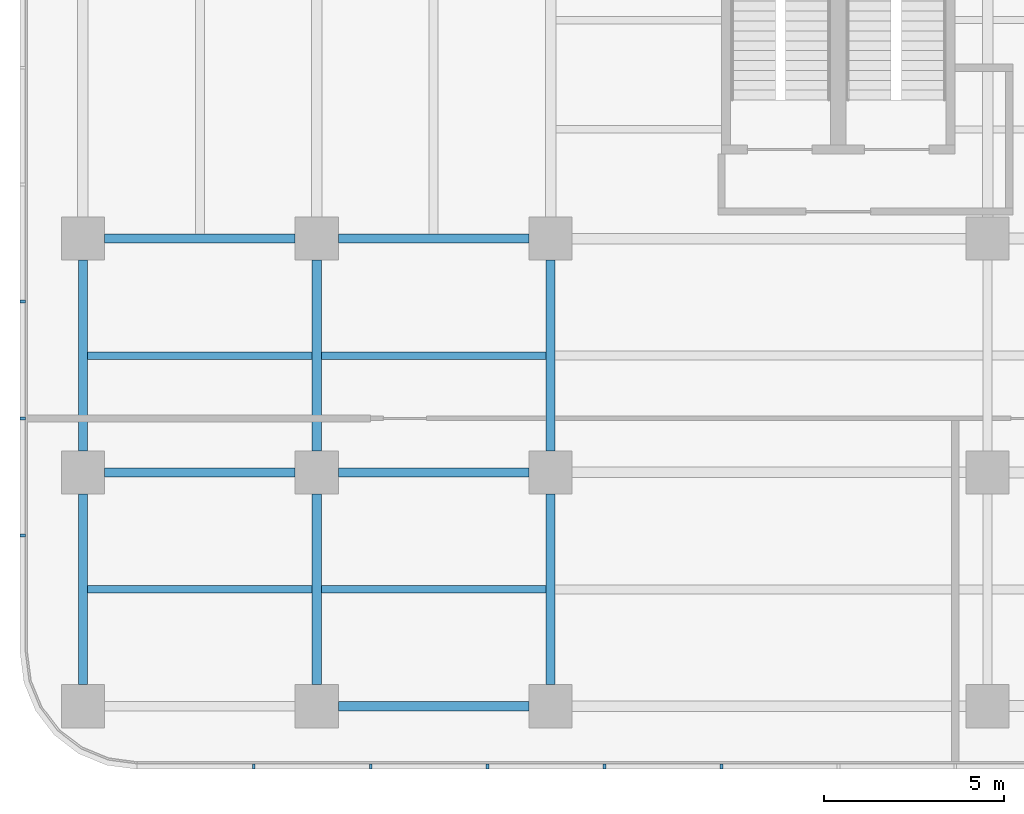
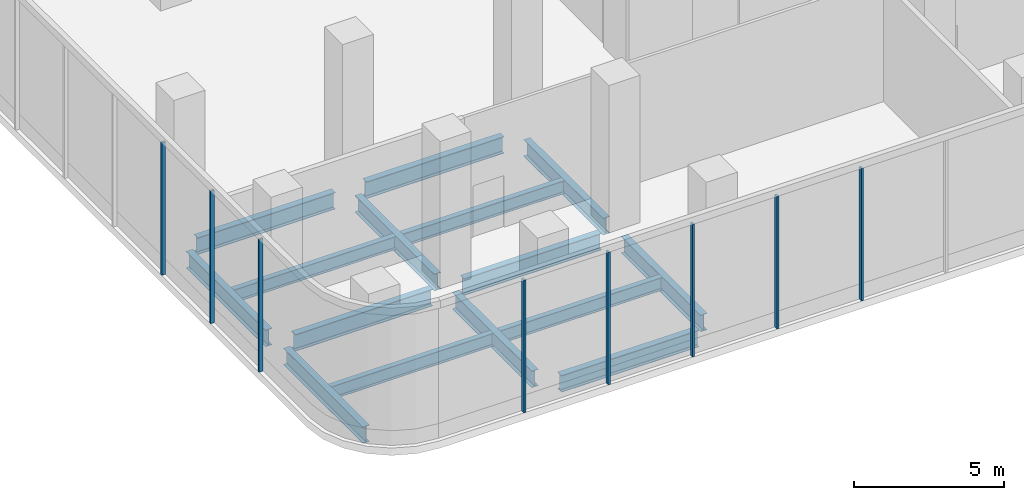
# One storey, part 2 of 41: 15 beams, 8 members, 2 elements without a shape of their own.
"""IFC4 building model written with IfcOpenShell, lengths in metres."""

from ifc_helpers import new_model, si_unit, direction, frame, origin, origin_2d, place, context, subcontext, project, spatial, rectangle, i_section, extrude, source, transform, mapped, material, layer, layer_set, material_profile, profile_set, type_object, element, aggregate, save


model = new_model("IFC4")

# Units and contexts
model_context = context("Model", 3, precision=1e-05, world=origin(), true_north=direction((0.0, 1.0)))
body_context = subcontext(model_context, "Body", "Model", "MODEL_VIEW")
ifc_project = project(units=[si_unit("LENGTHUNIT", "METRE"), si_unit("AREAUNIT", "SQUARE_METRE"), si_unit("VOLUMEUNIT", "CUBIC_METRE"), si_unit("PLANEANGLEUNIT", "RADIAN"), si_unit("MASSUNIT", "GRAM", prefix="KILO")], contexts=[model_context])

# Site, building, storey
site_placement = place(None, origin())
site = spatial("IfcSite", under=ifc_project, at=site_placement, CompositionType="ELEMENT")
building_placement = place(site_placement, origin())
building = spatial("IfcBuilding", under=site, at=building_placement, Name="Trellis Farm Tower", CompositionType="ELEMENT")
storey_placement = place(building_placement, frame((0.0, 0.0, 8.0)))
storey = spatial("IfcBuildingStorey", under=building, at=storey_placement, Name="L01", CompositionType="ELEMENT", Elevation=8.0)

# Beams
ifc_material_1 = material(Name="Steel S355", Category="steel")
ifc_material_profile_1 = material_profile(ifc_material_1, i_section(OverallWidth=0.253662109375, OverallDepth=0.68359375, WebThickness=0.012451171875, FlangeThickness=0.021728515625, FilletRadius=0.01513671875, at=origin_2d()), Name="UB 686x254x140")
ifc_profile_set_1 = profile_set([ifc_material_profile_1], Name="Steel S355")
beam_type_1 = type_object("IfcBeamType", Name="UB 686x254x140", PredefinedType="BEAM", material=ifc_profile_set_1)
shared_shape_1 = source(origin(), body_context, "Body", "SweptSolid", [
    extrude(i_section(OverallWidth=0.253662109375, OverallDepth=0.68359375, WebThickness=0.012451171875, FlangeThickness=0.021728515625, FilletRadius=0.01513671875, at=origin_2d()), origin(), (0.0, 0.0, 1.0), 5.2998046875),
])
for number, where, z_axis, x_axis, name in (
    (1, (-36.64990234375, -43.75, -0.641845703125), (1.0, 0.0, 0.0), (0.0, 1.0, 0.0), "Girder"),
    (2, (-43.14990234375, -37.25, -0.641845703125), (1.0, 0.0, 0.0), (0.0, 1.0, 0.0), "Girder"),
    (3, (-36.64990234375, -37.25, -0.641845703125), (1.0, 0.0, 0.0), (0.0, 1.0, 0.0), "Girder"),
    (4, (-43.14990234375, -30.75, -0.641845703125), (1.0, 0.0, 0.0), (0.0, 1.0, 0.0), "Girder"),
    (5, (-36.64990234375, -30.75, -0.641845703125), (1.0, 0.0, 0.0), (0.0, 1.0, 0.0), "Girder"),
    (6, (-43.75, -43.14990234375, -0.641845703125), (0.0, 1.0, 0.0), (-1.0, 0.0, 0.0), "Girder"),
    (7, (-43.75, -36.64990234375, -0.641845703125), (0.0, 1.0, 0.0), (-1.0, 0.0, 0.0), "Girder"),
    (8, (-37.25, -43.14990234375, -0.641845703125), (0.0, 1.0, 0.0), (-1.0, 0.0, 0.0), "Girder"),
    (9, (-37.25, -36.64990234375, -0.641845703125), (0.0, 1.0, 0.0), (-1.0, 0.0, 0.0), "Girder"),
    (10, (-30.75, -43.14990234375, -0.641845703125), (0.0, 1.0, 0.0), (-1.0, 0.0, 0.0), "Girder"),
    (11, (-30.75, -36.64990234375, -0.641845703125), (0.0, 1.0, 0.0), (-1.0, 0.0, 0.0), "Girder"),
):
    element("IfcBeam", number, at=place(storey_placement, frame(where, z_axis=z_axis, x_axis=x_axis)), inside=storey, type_object=beam_type_1, Name=name, PredefinedType="BEAM", context=body_context, shape_type="MappedRepresentation", body=[
        mapped(shared_shape_1, transform((0.0, 0.0, 0.0))),
    ])
ifc_material_profile_2 = material_profile(ifc_material_1, i_section(OverallWidth=0.209228515625, OverallDepth=0.533203125, WebThickness=0.010009765625, FlangeThickness=0.015625, FilletRadius=0.0126953125, at=origin_2d()), Name="UB 533x210x92")
ifc_profile_set_2 = profile_set([ifc_material_profile_2], Name="Steel S355")
beam_type_2 = type_object("IfcBeamType", Name="UB 533x210x92 joist", PredefinedType="JOIST", material=ifc_profile_set_2)
shared_shape_2 = source(origin(), body_context, "Body", "SweptSolid", [
    extrude(i_section(OverallWidth=0.209228515625, OverallDepth=0.533203125, WebThickness=0.010009765625, FlangeThickness=0.015625, FilletRadius=0.0126953125, at=origin_2d()), origin(), (0.0, 0.0, 1.0), 6.246337890625),
])
for number, where, z_axis, x_axis, name in (
    (12, (-37.123291015625, -40.5, -0.56640625), (1.0, 0.0, 0.0), (0.0, 1.0, 0.0), "Floor beam"),
    (13, (-37.123291015625, -34.0, -0.56640625), (1.0, 0.0, 0.0), (0.0, 1.0, 0.0), "Floor beam"),
):
    element("IfcBeam", number, at=place(storey_placement, frame(where, z_axis=z_axis, x_axis=x_axis)), inside=storey, type_object=beam_type_2, Name=name, PredefinedType="JOIST", context=body_context, shape_type="MappedRepresentation", body=[
        mapped(shared_shape_2, transform((0.0, 0.0, 0.0))),
    ])
shared_shape_3 = source(origin(), body_context, "Body", "SweptSolid", [
    extrude(i_section(OverallWidth=0.209228515625, OverallDepth=0.533203125, WebThickness=0.010009765625, FlangeThickness=0.015625, FilletRadius=0.0126953125, at=origin_2d()), origin(), (0.0, 0.0, 1.0), 6.24658203125),
])
for number, where, z_axis, x_axis, name in (
    (14, (-43.623291015625, -40.5, -0.56640625), (1.0, 0.0, 0.0), (0.0, 1.0, 0.0), "Floor beam"),
    (15, (-43.623291015625, -34.0, -0.56640625), (1.0, 0.0, 0.0), (0.0, 1.0, 0.0), "Floor beam"),
):
    element("IfcBeam", number, at=place(storey_placement, frame(where, z_axis=z_axis, x_axis=x_axis)), inside=storey, type_object=beam_type_2, Name=name, PredefinedType="JOIST", context=body_context, shape_type="MappedRepresentation", body=[
        mapped(shared_shape_3, transform((0.0, 0.0, 0.0))),
    ])

# Curtain wall, members
ifc_material_2 = material(Name="Aluminium and glass curtain wall", Category="aluminium")
ifc_layer = layer(ifc_material_2, 0.201904296875)
ifc_layer_set = layer_set([ifc_layer], Name="SHOPFRONT CURTAIN WALL CW2")
curtain_wall_type = type_object("IfcCurtainWallType", Name="SHOPFRONT CURTAIN WALL CW2", PredefinedType="NOTDEFINED", material=ifc_layer_set)
placement = place(storey_placement, origin())
curtain_wall_1 = element("IfcCurtainWall", 16, at=placement, inside=storey, type_object=curtain_wall_type, Name="CW2 006", PredefinedType="NOTDEFINED")
ifc_material_3 = material(Name="Aluminium extrusion 6063-T6", Category="aluminium")
ifc_material_profile_3 = material_profile(ifc_material_3, rectangle(XDim=0.080078125, YDim=0.14990234375, at=origin_2d()), Name="MULLION 80x150")
ifc_profile_set_3 = profile_set([ifc_material_profile_3], Name="Aluminium extrusion 6063-T6")
member_type = type_object("IfcMemberType", Name="CW2 MULLION 80x150", PredefinedType="MULLION", material=ifc_profile_set_3)
shared_shape_4 = source(origin(), body_context, "Body", "SweptSolid", [
    extrude(rectangle(XDim=0.080078125, YDim=0.14990234375, at=origin_2d()), origin(), (0.0, 0.0, 1.0), 5.39990234375),
])
member_1_placement = place(storey_placement, frame((-45.425048828125, -32.5, 0.0), z_axis=(0.0, 0.0, 1.0), x_axis=(0.0, -1.0, 0.0)))
member_1 = element("IfcMember", 17, at=member_1_placement, type_object=member_type, Name="MU2 006-08", PredefinedType="MULLION", context=body_context, shape_type="MappedRepresentation", body=[
    mapped(shared_shape_4, transform((0.0, 0.0, 0.0))),
])
member_2_placement = place(storey_placement, frame((-45.425048828125, -35.75, 0.0), z_axis=(0.0, 0.0, 1.0), x_axis=(0.0, -1.0, 0.0)))
member_2 = element("IfcMember", 18, at=member_2_placement, type_object=member_type, Name="MU2 006-09", PredefinedType="MULLION", context=body_context, shape_type="MappedRepresentation", body=[
    mapped(shared_shape_4, transform((0.0, 0.0, 0.0))),
])
member_3_placement = place(storey_placement, frame((-45.425048828125, -39.0, 0.0), z_axis=(0.0, 0.0, 1.0), x_axis=(0.0, -1.0, 0.0)))
member_3 = element("IfcMember", 19, at=member_3_placement, type_object=member_type, Name="MU2 006-10", PredefinedType="MULLION", context=body_context, shape_type="MappedRepresentation", body=[
    mapped(shared_shape_4, transform((0.0, 0.0, 0.0))),
])
aggregate(curtain_wall_1, [member_1, member_2, member_3])

curtain_wall_2 = element("IfcCurtainWall", 20, at=placement, inside=storey, type_object=curtain_wall_type, Name="CW2 007", PredefinedType="NOTDEFINED")
member_4_placement = place(storey_placement, frame((-39.0, -45.425048828125, 0.0), z_axis=(0.0, 0.0, 1.0), x_axis=(1.0, 0.0, 0.0)))
member_4 = element("IfcMember", 21, at=member_4_placement, type_object=member_type, Name="MU2 007-01", PredefinedType="MULLION", context=body_context, shape_type="MappedRepresentation", body=[
    mapped(shared_shape_4, transform((0.0, 0.0, 0.0))),
])
member_5_placement = place(storey_placement, frame((-35.75, -45.425048828125, 0.0), z_axis=(0.0, 0.0, 1.0), x_axis=(1.0, 0.0, 0.0)))
member_5 = element("IfcMember", 22, at=member_5_placement, type_object=member_type, Name="MU2 007-02", PredefinedType="MULLION", context=body_context, shape_type="MappedRepresentation", body=[
    mapped(shared_shape_4, transform((0.0, 0.0, 0.0))),
])
member_6_placement = place(storey_placement, frame((-32.5, -45.425048828125, 0.0), z_axis=(0.0, 0.0, 1.0), x_axis=(1.0, 0.0, 0.0)))
member_6 = element("IfcMember", 23, at=member_6_placement, type_object=member_type, Name="MU2 007-03", PredefinedType="MULLION", context=body_context, shape_type="MappedRepresentation", body=[
    mapped(shared_shape_4, transform((0.0, 0.0, 0.0))),
])
member_7_placement = place(storey_placement, frame((-29.25, -45.425048828125, 0.0), z_axis=(0.0, 0.0, 1.0), x_axis=(1.0, 0.0, 0.0)))
member_7 = element("IfcMember", 24, at=member_7_placement, type_object=member_type, Name="MU2 007-04", PredefinedType="MULLION", context=body_context, shape_type="MappedRepresentation", body=[
    mapped(shared_shape_4, transform((0.0, 0.0, 0.0))),
])
member_8_placement = place(storey_placement, frame((-26.0, -45.425048828125, 0.0), z_axis=(0.0, 0.0, 1.0), x_axis=(1.0, 0.0, 0.0)))
member_8 = element("IfcMember", 25, at=member_8_placement, type_object=member_type, Name="MU2 007-05", PredefinedType="MULLION", context=body_context, shape_type="MappedRepresentation", body=[
    mapped(shared_shape_4, transform((0.0, 0.0, 0.0))),
])
aggregate(curtain_wall_2, [member_4, member_5, member_6, member_7, member_8])

save(model, "model.ifc")
